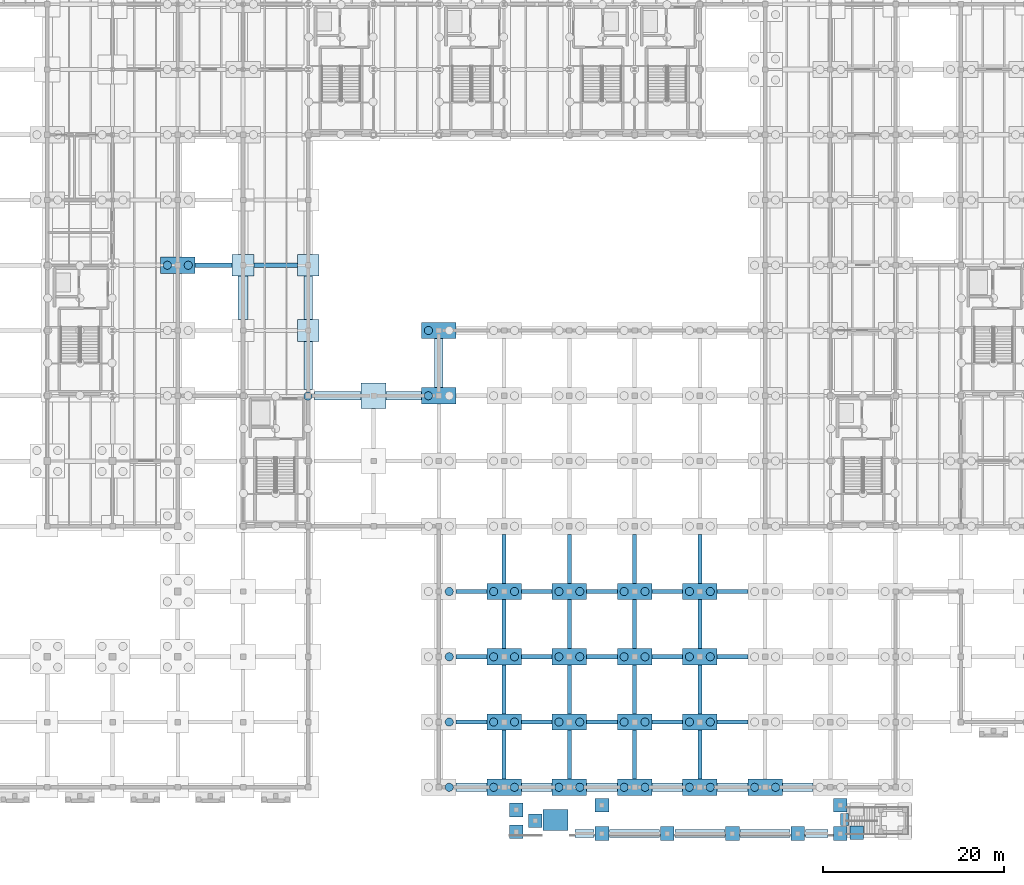
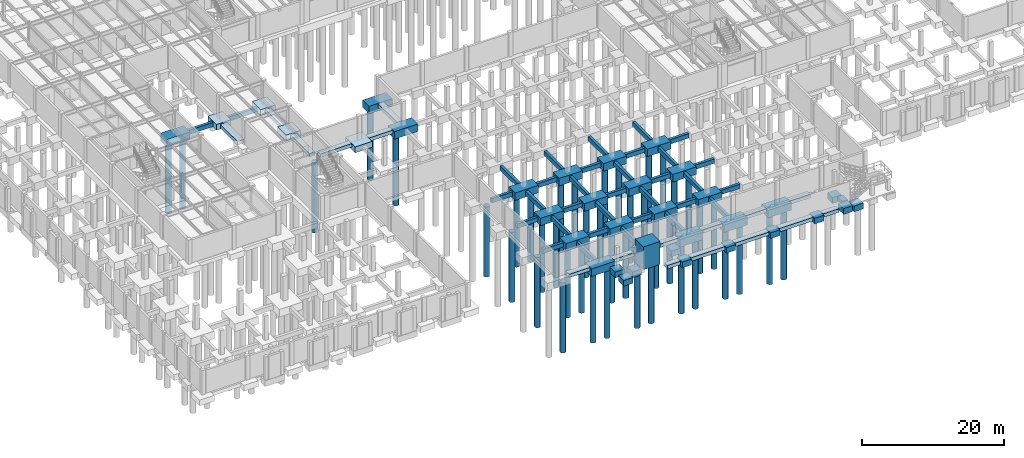
# One storey, part 3 of 46: 87 footings, 43 piles.
"""IFC4 building model written with IfcOpenShell, lengths in metres."""

from ifc_helpers import new_model, si_unit, direction, frame, origin, origin_2d, place, context, subcontext, project, spatial, rectangle, circle, extrude, material, material_profile, profile_set, type_object, element, save


model = new_model("IFC4")

# Units and contexts
model_context = context("Model", 3, precision=1e-05, world=origin(), true_north=direction((0.0, 1.0)))
body_context = subcontext(model_context, "Body", "Model", "MODEL_VIEW")
ifc_project = project(units=[si_unit("LENGTHUNIT", "METRE"), si_unit("AREAUNIT", "SQUARE_METRE"), si_unit("VOLUMEUNIT", "CUBIC_METRE"), si_unit("PLANEANGLEUNIT", "RADIAN"), si_unit("MASSUNIT", "GRAM", prefix="KILO")], contexts=[model_context])

# Site, building, storey
site_placement = place(None, origin())
site = spatial("IfcSite", under=ifc_project, at=site_placement, CompositionType="ELEMENT")
building_placement = place(site_placement, origin())
building = spatial("IfcBuilding", under=site, at=building_placement, Name="Sillqori Civic Hall", CompositionType="ELEMENT")
storey_placement = place(building_placement, frame((0.0, 0.0, -4.199951171875)))
storey = spatial("IfcBuildingStorey", under=building, at=storey_placement, Name="B01", CompositionType="ELEMENT", Elevation=-4.199951171875)

# Footings
ifc_material = material(Name="Concrete C35/45 (H35)", Category="concrete")
footing_type_1 = type_object("IfcFootingType", Name="FB-450X750", PredefinedType="FOOTING_BEAM", material=ifc_material)
footing_1_placement = place(storey_placement, frame((39.949951171875, 64.800048828125, -0.969970703125), z_axis=(0.0, 0.0, 1.0), x_axis=(1.0, 0.0, 0.0)))
element("IfcFooting", 1, at=footing_1_placement, inside=storey, type_object=footing_type_1, Name="Seismic tie beam X 5-9", PredefinedType="FOOTING_BEAM", context=body_context, shape_type="SweptSolid", body=[
    extrude(rectangle(XDim=4.10009765625, YDim=0.449951171875, at=origin_2d()), origin(), (0.0, 0.0, 1.0), 0.75),
])
footing_2_placement = place(storey_placement, frame((46.800048828125, 64.800048828125, -0.969970703125), z_axis=(0.0, 0.0, 1.0), x_axis=(1.0, 0.0, 0.0)))
element("IfcFooting", 2, at=footing_2_placement, inside=storey, type_object=footing_type_1, Name="Seismic tie beam X 6-9", PredefinedType="FOOTING_BEAM", context=body_context, shape_type="SweptSolid", body=[
    extrude(rectangle(XDim=4.800048828125, YDim=0.449951171875, at=origin_2d()), origin(), (0.0, 0.0, 1.0), 0.75),
])
for number, where, z_axis, x_axis, name in (
    (3, (68.39990234375, 14.39990234375, -0.969970703125), (0.0, 0.0, 1.0), (1.0, 0.0, 0.0), "Seismic tie beam X 9-2"),
    (4, (68.39990234375, 21.60009765625, -0.969970703125), (0.0, 0.0, 1.0), (1.0, 0.0, 0.0), "Seismic tie beam X 9-3"),
    (5, (68.39990234375, 28.800048828125, -0.969970703125), (0.0, 0.0, 1.0), (1.0, 0.0, 0.0), "Seismic tie beam X 9-4"),
):
    element("IfcFooting", number, at=place(storey_placement, frame(where, z_axis=z_axis, x_axis=x_axis)), inside=storey, type_object=footing_type_1, Name=name, PredefinedType="FOOTING_BEAM", context=body_context, shape_type="SweptSolid", body=[
        extrude(rectangle(XDim=3.39990234375, YDim=0.449951171875, at=origin_2d()), origin(), (0.0, 0.0, 1.0), 0.75),
    ])
footing_3_placement = place(storey_placement, frame((72.0, 10.800048828125, -0.969970703125), z_axis=(0.0, 0.0, 1.0), x_axis=(1.0, 0.0, 0.0)))
element("IfcFooting", 6, at=footing_3_placement, inside=storey, type_object=footing_type_1, Name="Seismic tie beam Y 10-1", PredefinedType="FOOTING_BEAM", context=body_context, shape_type="SweptSolid", body=[
    extrude(rectangle(XDim=0.449951171875, YDim=5.39990234375, at=origin_2d()), origin(), (0.0, 0.0, 1.0), 0.75),
])
footing_4_placement = place(storey_placement, frame((75.60009765625, 14.39990234375, -0.969970703125), z_axis=(0.0, 0.0, 1.0), x_axis=(1.0, 0.0, 0.0)))
element("IfcFooting", 7, at=footing_4_placement, inside=storey, type_object=footing_type_1, Name="Seismic tie beam X 10-2", PredefinedType="FOOTING_BEAM", context=body_context, shape_type="SweptSolid", body=[
    extrude(rectangle(XDim=3.39990234375, YDim=0.449951171875, at=origin_2d()), origin(), (0.0, 0.0, 1.0), 0.75),
])
footing_5_placement = place(storey_placement, frame((72.0, 18.0, -0.969970703125), z_axis=(0.0, 0.0, 1.0), x_axis=(1.0, 0.0, 0.0)))
element("IfcFooting", 8, at=footing_5_placement, inside=storey, type_object=footing_type_1, Name="Seismic tie beam Y 10-2", PredefinedType="FOOTING_BEAM", context=body_context, shape_type="SweptSolid", body=[
    extrude(rectangle(XDim=0.449951171875, YDim=5.39990234375, at=origin_2d()), origin(), (0.0, 0.0, 1.0), 0.75),
])
footing_6_placement = place(storey_placement, frame((75.60009765625, 21.60009765625, -0.969970703125), z_axis=(0.0, 0.0, 1.0), x_axis=(1.0, 0.0, 0.0)))
element("IfcFooting", 9, at=footing_6_placement, inside=storey, type_object=footing_type_1, Name="Seismic tie beam X 10-3", PredefinedType="FOOTING_BEAM", context=body_context, shape_type="SweptSolid", body=[
    extrude(rectangle(XDim=3.39990234375, YDim=0.449951171875, at=origin_2d()), origin(), (0.0, 0.0, 1.0), 0.75),
])
footing_7_placement = place(storey_placement, frame((72.0, 25.199951171875, -0.969970703125), z_axis=(0.0, 0.0, 1.0), x_axis=(1.0, 0.0, 0.0)))
element("IfcFooting", 10, at=footing_7_placement, inside=storey, type_object=footing_type_1, Name="Seismic tie beam Y 10-3", PredefinedType="FOOTING_BEAM", context=body_context, shape_type="SweptSolid", body=[
    extrude(rectangle(XDim=0.449951171875, YDim=5.39990234375, at=origin_2d()), origin(), (0.0, 0.0, 1.0), 0.75),
])
footing_8_placement = place(storey_placement, frame((75.60009765625, 28.800048828125, -0.969970703125), z_axis=(0.0, 0.0, 1.0), x_axis=(1.0, 0.0, 0.0)))
element("IfcFooting", 11, at=footing_8_placement, inside=storey, type_object=footing_type_1, Name="Seismic tie beam X 10-4", PredefinedType="FOOTING_BEAM", context=body_context, shape_type="SweptSolid", body=[
    extrude(rectangle(XDim=3.39990234375, YDim=0.449951171875, at=origin_2d()), origin(), (0.0, 0.0, 1.0), 0.75),
])
for number, where, z_axis, x_axis, name in (
    (12, (72.0, 32.39990234375, -0.969970703125), (0.0, 0.0, 1.0), (1.0, 0.0, 0.0), "Seismic tie beam Y 10-4"),
    (13, (79.199951171875, 10.800048828125, -0.969970703125), (0.0, 0.0, 1.0), (1.0, 0.0, 0.0), "Seismic tie beam Y 11-1"),
):
    element("IfcFooting", number, at=place(storey_placement, frame(where, z_axis=z_axis, x_axis=x_axis)), inside=storey, type_object=footing_type_1, Name=name, PredefinedType="FOOTING_BEAM", context=body_context, shape_type="SweptSolid", body=[
        extrude(rectangle(XDim=0.449951171875, YDim=5.39990234375, at=origin_2d()), origin(), (0.0, 0.0, 1.0), 0.75),
    ])
footing_9_placement = place(storey_placement, frame((82.800048828125, 14.39990234375, -0.969970703125), z_axis=(0.0, 0.0, 1.0), x_axis=(1.0, 0.0, 0.0)))
element("IfcFooting", 14, at=footing_9_placement, inside=storey, type_object=footing_type_1, Name="Seismic tie beam X 11-2", PredefinedType="FOOTING_BEAM", context=body_context, shape_type="SweptSolid", body=[
    extrude(rectangle(XDim=3.39990234375, YDim=0.449951171875, at=origin_2d()), origin(), (0.0, 0.0, 1.0), 0.75),
])
footing_10_placement = place(storey_placement, frame((79.199951171875, 18.0, -0.969970703125), z_axis=(0.0, 0.0, 1.0), x_axis=(1.0, 0.0, 0.0)))
element("IfcFooting", 15, at=footing_10_placement, inside=storey, type_object=footing_type_1, Name="Seismic tie beam Y 11-2", PredefinedType="FOOTING_BEAM", context=body_context, shape_type="SweptSolid", body=[
    extrude(rectangle(XDim=0.449951171875, YDim=5.39990234375, at=origin_2d()), origin(), (0.0, 0.0, 1.0), 0.75),
])
footing_11_placement = place(storey_placement, frame((82.800048828125, 21.60009765625, -0.969970703125), z_axis=(0.0, 0.0, 1.0), x_axis=(1.0, 0.0, 0.0)))
element("IfcFooting", 16, at=footing_11_placement, inside=storey, type_object=footing_type_1, Name="Seismic tie beam X 11-3", PredefinedType="FOOTING_BEAM", context=body_context, shape_type="SweptSolid", body=[
    extrude(rectangle(XDim=3.39990234375, YDim=0.449951171875, at=origin_2d()), origin(), (0.0, 0.0, 1.0), 0.75),
])
footing_12_placement = place(storey_placement, frame((79.199951171875, 25.199951171875, -0.969970703125), z_axis=(0.0, 0.0, 1.0), x_axis=(1.0, 0.0, 0.0)))
element("IfcFooting", 17, at=footing_12_placement, inside=storey, type_object=footing_type_1, Name="Seismic tie beam Y 11-3", PredefinedType="FOOTING_BEAM", context=body_context, shape_type="SweptSolid", body=[
    extrude(rectangle(XDim=0.449951171875, YDim=5.39990234375, at=origin_2d()), origin(), (0.0, 0.0, 1.0), 0.75),
])
footing_13_placement = place(storey_placement, frame((82.800048828125, 28.800048828125, -0.969970703125), z_axis=(0.0, 0.0, 1.0), x_axis=(1.0, 0.0, 0.0)))
element("IfcFooting", 18, at=footing_13_placement, inside=storey, type_object=footing_type_1, Name="Seismic tie beam X 11-4", PredefinedType="FOOTING_BEAM", context=body_context, shape_type="SweptSolid", body=[
    extrude(rectangle(XDim=3.39990234375, YDim=0.449951171875, at=origin_2d()), origin(), (0.0, 0.0, 1.0), 0.75),
])
for number, where, z_axis, x_axis, name in (
    (19, (79.199951171875, 32.39990234375, -0.969970703125), (0.0, 0.0, 1.0), (1.0, 0.0, 0.0), "Seismic tie beam Y 11-4"),
    (20, (86.39990234375, 10.800048828125, -0.969970703125), (0.0, 0.0, 1.0), (1.0, 0.0, 0.0), "Seismic tie beam Y 12-1"),
):
    element("IfcFooting", number, at=place(storey_placement, frame(where, z_axis=z_axis, x_axis=x_axis)), inside=storey, type_object=footing_type_1, Name=name, PredefinedType="FOOTING_BEAM", context=body_context, shape_type="SweptSolid", body=[
        extrude(rectangle(XDim=0.449951171875, YDim=5.39990234375, at=origin_2d()), origin(), (0.0, 0.0, 1.0), 0.75),
    ])
footing_14_placement = place(storey_placement, frame((90.0, 14.39990234375, -0.969970703125), z_axis=(0.0, 0.0, 1.0), x_axis=(1.0, 0.0, 0.0)))
element("IfcFooting", 21, at=footing_14_placement, inside=storey, type_object=footing_type_1, Name="Seismic tie beam X 12-2", PredefinedType="FOOTING_BEAM", context=body_context, shape_type="SweptSolid", body=[
    extrude(rectangle(XDim=3.39990234375, YDim=0.449951171875, at=origin_2d()), origin(), (0.0, 0.0, 1.0), 0.75),
])
footing_15_placement = place(storey_placement, frame((86.39990234375, 18.0, -0.969970703125), z_axis=(0.0, 0.0, 1.0), x_axis=(1.0, 0.0, 0.0)))
element("IfcFooting", 22, at=footing_15_placement, inside=storey, type_object=footing_type_1, Name="Seismic tie beam Y 12-2", PredefinedType="FOOTING_BEAM", context=body_context, shape_type="SweptSolid", body=[
    extrude(rectangle(XDim=0.449951171875, YDim=5.39990234375, at=origin_2d()), origin(), (0.0, 0.0, 1.0), 0.75),
])
footing_16_placement = place(storey_placement, frame((90.0, 21.60009765625, -0.969970703125), z_axis=(0.0, 0.0, 1.0), x_axis=(1.0, 0.0, 0.0)))
element("IfcFooting", 23, at=footing_16_placement, inside=storey, type_object=footing_type_1, Name="Seismic tie beam X 12-3", PredefinedType="FOOTING_BEAM", context=body_context, shape_type="SweptSolid", body=[
    extrude(rectangle(XDim=3.39990234375, YDim=0.449951171875, at=origin_2d()), origin(), (0.0, 0.0, 1.0), 0.75),
])
footing_17_placement = place(storey_placement, frame((86.39990234375, 25.199951171875, -0.969970703125), z_axis=(0.0, 0.0, 1.0), x_axis=(1.0, 0.0, 0.0)))
element("IfcFooting", 24, at=footing_17_placement, inside=storey, type_object=footing_type_1, Name="Seismic tie beam Y 12-3", PredefinedType="FOOTING_BEAM", context=body_context, shape_type="SweptSolid", body=[
    extrude(rectangle(XDim=0.449951171875, YDim=5.39990234375, at=origin_2d()), origin(), (0.0, 0.0, 1.0), 0.75),
])
footing_18_placement = place(storey_placement, frame((90.0, 28.800048828125, -0.969970703125), z_axis=(0.0, 0.0, 1.0), x_axis=(1.0, 0.0, 0.0)))
element("IfcFooting", 25, at=footing_18_placement, inside=storey, type_object=footing_type_1, Name="Seismic tie beam X 12-4", PredefinedType="FOOTING_BEAM", context=body_context, shape_type="SweptSolid", body=[
    extrude(rectangle(XDim=3.39990234375, YDim=0.449951171875, at=origin_2d()), origin(), (0.0, 0.0, 1.0), 0.75),
])
for number, where, z_axis, x_axis, name in (
    (26, (86.39990234375, 32.39990234375, -0.969970703125), (0.0, 0.0, 1.0), (1.0, 0.0, 0.0), "Seismic tie beam Y 12-4"),
    (27, (93.60009765625, 10.800048828125, -0.969970703125), (0.0, 0.0, 1.0), (1.0, 0.0, 0.0), "Seismic tie beam Y 13-1"),
):
    element("IfcFooting", number, at=place(storey_placement, frame(where, z_axis=z_axis, x_axis=x_axis)), inside=storey, type_object=footing_type_1, Name=name, PredefinedType="FOOTING_BEAM", context=body_context, shape_type="SweptSolid", body=[
        extrude(rectangle(XDim=0.449951171875, YDim=5.39990234375, at=origin_2d()), origin(), (0.0, 0.0, 1.0), 0.75),
    ])
footing_19_placement = place(storey_placement, frame((97.199951171875, 14.39990234375, -0.969970703125), z_axis=(0.0, 0.0, 1.0), x_axis=(1.0, 0.0, 0.0)))
element("IfcFooting", 28, at=footing_19_placement, inside=storey, type_object=footing_type_1, Name="Seismic tie beam X 13-2", PredefinedType="FOOTING_BEAM", context=body_context, shape_type="SweptSolid", body=[
    extrude(rectangle(XDim=3.39990234375, YDim=0.449951171875, at=origin_2d()), origin(), (0.0, 0.0, 1.0), 0.75),
])
footing_20_placement = place(storey_placement, frame((93.60009765625, 18.0, -0.969970703125), z_axis=(0.0, 0.0, 1.0), x_axis=(1.0, 0.0, 0.0)))
element("IfcFooting", 29, at=footing_20_placement, inside=storey, type_object=footing_type_1, Name="Seismic tie beam Y 13-2", PredefinedType="FOOTING_BEAM", context=body_context, shape_type="SweptSolid", body=[
    extrude(rectangle(XDim=0.449951171875, YDim=5.39990234375, at=origin_2d()), origin(), (0.0, 0.0, 1.0), 0.75),
])
footing_21_placement = place(storey_placement, frame((97.199951171875, 21.60009765625, -0.969970703125), z_axis=(0.0, 0.0, 1.0), x_axis=(1.0, 0.0, 0.0)))
element("IfcFooting", 30, at=footing_21_placement, inside=storey, type_object=footing_type_1, Name="Seismic tie beam X 13-3", PredefinedType="FOOTING_BEAM", context=body_context, shape_type="SweptSolid", body=[
    extrude(rectangle(XDim=3.39990234375, YDim=0.449951171875, at=origin_2d()), origin(), (0.0, 0.0, 1.0), 0.75),
])
footing_22_placement = place(storey_placement, frame((93.60009765625, 25.199951171875, -0.969970703125), z_axis=(0.0, 0.0, 1.0), x_axis=(1.0, 0.0, 0.0)))
element("IfcFooting", 31, at=footing_22_placement, inside=storey, type_object=footing_type_1, Name="Seismic tie beam Y 13-3", PredefinedType="FOOTING_BEAM", context=body_context, shape_type="SweptSolid", body=[
    extrude(rectangle(XDim=0.449951171875, YDim=5.39990234375, at=origin_2d()), origin(), (0.0, 0.0, 1.0), 0.75),
])
footing_23_placement = place(storey_placement, frame((97.199951171875, 28.800048828125, -0.969970703125), z_axis=(0.0, 0.0, 1.0), x_axis=(1.0, 0.0, 0.0)))
element("IfcFooting", 32, at=footing_23_placement, inside=storey, type_object=footing_type_1, Name="Seismic tie beam X 13-4", PredefinedType="FOOTING_BEAM", context=body_context, shape_type="SweptSolid", body=[
    extrude(rectangle(XDim=3.39990234375, YDim=0.449951171875, at=origin_2d()), origin(), (0.0, 0.0, 1.0), 0.75),
])
footing_24_placement = place(storey_placement, frame((93.60009765625, 32.39990234375, -0.969970703125), z_axis=(0.0, 0.0, 1.0), x_axis=(1.0, 0.0, 0.0)))
element("IfcFooting", 33, at=footing_24_placement, inside=storey, type_object=footing_type_1, Name="Seismic tie beam Y 13-4", PredefinedType="FOOTING_BEAM", context=body_context, shape_type="SweptSolid", body=[
    extrude(rectangle(XDim=0.449951171875, YDim=5.39990234375, at=origin_2d()), origin(), (0.0, 0.0, 1.0), 0.75),
])
footing_type_2 = type_object("IfcFootingType", Name="PC-2P", PredefinedType="PILE_CAP", material=ifc_material)
for number, where, z_axis, x_axis, name in (
    (34, (36.0, 64.800048828125, -1.30029296875), (0.0, 0.0, 1.0), (1.0, 0.0, 0.0), "Pile cap 5-9"),
    (35, (64.800048828125, 50.39990234375, -1.30029296875), (0.0, 0.0, 1.0), (1.0, 0.0, 0.0), "Pile cap 9-7"),
    (36, (64.800048828125, 57.60009765625, -1.30029296875), (0.0, 0.0, 1.0), (1.0, 0.0, 0.0), "Pile cap 9-8"),
    (37, (72.0, 7.199951171875, -1.30029296875), (0.0, 0.0, 1.0), (1.0, 0.0, 0.0), "Pile cap 10-1"),
    (38, (72.0, 14.39990234375, -1.30029296875), (0.0, 0.0, 1.0), (1.0, 0.0, 0.0), "Pile cap 10-2"),
    (39, (72.0, 21.60009765625, -1.30029296875), (0.0, 0.0, 1.0), (1.0, 0.0, 0.0), "Pile cap 10-3"),
    (40, (72.0, 28.800048828125, -1.30029296875), (0.0, 0.0, 1.0), (1.0, 0.0, 0.0), "Pile cap 10-4"),
    (41, (79.199951171875, 7.199951171875, -1.30029296875), (0.0, 0.0, 1.0), (1.0, 0.0, 0.0), "Pile cap 11-1"),
    (42, (79.199951171875, 14.39990234375, -1.30029296875), (0.0, 0.0, 1.0), (1.0, 0.0, 0.0), "Pile cap 11-2"),
    (43, (79.199951171875, 21.60009765625, -1.30029296875), (0.0, 0.0, 1.0), (1.0, 0.0, 0.0), "Pile cap 11-3"),
    (44, (79.199951171875, 28.800048828125, -1.30029296875), (0.0, 0.0, 1.0), (1.0, 0.0, 0.0), "Pile cap 11-4"),
    (45, (86.39990234375, 7.199951171875, -1.30029296875), (0.0, 0.0, 1.0), (1.0, 0.0, 0.0), "Pile cap 12-1"),
    (46, (86.39990234375, 14.39990234375, -1.30029296875), (0.0, 0.0, 1.0), (1.0, 0.0, 0.0), "Pile cap 12-2"),
    (47, (86.39990234375, 21.60009765625, -1.30029296875), (0.0, 0.0, 1.0), (1.0, 0.0, 0.0), "Pile cap 12-3"),
    (48, (86.39990234375, 28.800048828125, -1.30029296875), (0.0, 0.0, 1.0), (1.0, 0.0, 0.0), "Pile cap 12-4"),
    (49, (93.60009765625, 7.199951171875, -1.30029296875), (0.0, 0.0, 1.0), (1.0, 0.0, 0.0), "Pile cap 13-1"),
    (50, (93.60009765625, 14.39990234375, -1.30029296875), (0.0, 0.0, 1.0), (1.0, 0.0, 0.0), "Pile cap 13-2"),
    (51, (93.60009765625, 21.60009765625, -1.30029296875), (0.0, 0.0, 1.0), (1.0, 0.0, 0.0), "Pile cap 13-3"),
    (52, (93.60009765625, 28.800048828125, -1.30029296875), (0.0, 0.0, 1.0), (1.0, 0.0, 0.0), "Pile cap 13-4"),
    (53, (100.800048828125, 7.199951171875, -1.30029296875), (0.0, 0.0, 1.0), (1.0, 0.0, 0.0), "Pile cap 14-1"),
):
    element("IfcFooting", number, at=place(storey_placement, frame(where, z_axis=z_axis, x_axis=x_axis)), inside=storey, type_object=footing_type_2, Name=name, PredefinedType="PILE_CAP", context=body_context, shape_type="SweptSolid", body=[
        extrude(rectangle(XDim=3.800048828125, YDim=1.800048828125, at=origin_2d()), origin(), (0.0, 0.0, 1.0), 1.300048828125),
    ])
footing_type_3 = type_object("IfcFootingType", Name="PF-1500", PredefinedType="PAD_FOOTING", material=ifc_material)
for number, where, z_axis, x_axis, name in (
    (54, (82.800048828125, 2.10009765625, -1.0), (0.0, 0.0, 1.0), (1.0, 0.0, 0.0), "Forecourt accessible arrival deck footing 1"),
    (55, (90.0, 2.10009765625, -1.0), (0.0, 0.0, 1.0), (1.0, 0.0, 0.0), "Forecourt accessible arrival deck footing 2"),
    (56, (97.199951171875, 2.10009765625, -1.0), (0.0, 0.0, 1.0), (1.0, 0.0, 0.0), "Forecourt accessible arrival deck footing 3"),
    (57, (104.39990234375, 2.10009765625, -1.0), (0.0, 0.0, 1.0), (1.0, 0.0, 0.0), "Forecourt accessible arrival deck footing 4"),
    (58, (109.10009765625, 2.10009765625, -1.0), (0.0, 0.0, 1.0), (1.0, 0.0, 0.0), "Forecourt accessible arrival deck footing 5"),
    (59, (109.10009765625, 5.199951171875, -1.0), (0.0, 0.0, 1.0), (1.0, 0.0, 0.0), "Forecourt accessible arrival deck footing 6"),
    (60, (82.800048828125, 5.199951171875, -1.0), (0.0, 0.0, 1.0), (1.0, 0.0, 0.0), "Forecourt accessible arrival deck footing 7"),
    (61, (73.35009765625, 2.300048828125, -1.0), (0.0, 0.0, 1.0), (1.0, 0.0, 0.0), "Forecourt ramp base & lower landing footing 1"),
    (62, (73.35009765625, 4.699951171875, -1.0), (0.0, 0.0, 1.0), (1.0, 0.0, 0.0), "Forecourt ramp base & lower landing footing 2"),
    (63, (75.449951171875, 3.5, -1.0), (0.0, 0.0, 1.0), (1.0, 0.0, 0.0), "Forecourt ramp base & lower landing footing 3"),
    (64, (110.89990234375, 2.199951171875, -1.219970703125), (0.0, 0.0, 1.0), (1.0, 0.0, 0.0), "Forecourt exterior stair pad footing 1"),
):
    element("IfcFooting", number, at=place(storey_placement, frame(where, z_axis=z_axis, x_axis=x_axis)), inside=storey, type_object=footing_type_3, Name=name, PredefinedType="PAD_FOOTING", context=body_context, shape_type="SweptSolid", body=[
        extrude(rectangle(XDim=1.5, YDim=1.5, at=origin_2d()), origin(), (0.0, 0.0, 1.0), 1.0),
    ])
footing_type_4 = type_object("IfcFootingType", Name="PF-2400", PredefinedType="PAD_FOOTING", material=ifc_material)
for number, where, z_axis, x_axis, name in (
    (65, (43.199951171875, 64.800048828125, -1.0), (0.0, 0.0, 1.0), (1.0, 0.0, 0.0), "Spread footing 6-9"),
    (66, (50.39990234375, 57.60009765625, -1.0), (0.0, 0.0, 1.0), (1.0, 0.0, 0.0), "Spread footing 7-8"),
    (67, (50.39990234375, 64.800048828125, -1.0), (0.0, 0.0, 1.0), (1.0, 0.0, 0.0), "Spread footing 7-9"),
):
    element("IfcFooting", number, at=place(storey_placement, frame(where, z_axis=z_axis, x_axis=x_axis)), inside=storey, type_object=footing_type_4, Name=name, PredefinedType="PAD_FOOTING", context=body_context, shape_type="SweptSolid", body=[
        extrude(rectangle(XDim=2.39990234375, YDim=2.39990234375, at=origin_2d()), origin(), (0.0, 0.0, 1.0), 1.0),
    ])
footing_type_5 = type_object("IfcFootingType", Name="PF-2800", PredefinedType="PAD_FOOTING", material=ifc_material)
footing_25_placement = place(storey_placement, frame((57.60009765625, 50.39990234375, -1.0), z_axis=(0.0, 0.0, 1.0), x_axis=(1.0, 0.0, 0.0)))
element("IfcFooting", 68, at=footing_25_placement, inside=storey, type_object=footing_type_5, Name="Spread footing 8-7", PredefinedType="PAD_FOOTING", context=body_context, shape_type="SweptSolid", body=[
    extrude(rectangle(XDim=2.800048828125, YDim=2.800048828125, at=origin_2d()), origin(), (0.0, 0.0, 1.0), 1.0),
])

# Piles
ifc_material_profile = material_profile(ifc_material, circle(Radius=0.449951171875, at=origin_2d()), Name="BORED PILE 900")
ifc_profile_set = profile_set([ifc_material_profile], Name="Concrete C35/45 (H35)")
pile_type = type_object("IfcPileType", Name="PILE-BORED-900", PredefinedType="BORED", material=ifc_profile_set)
for number, where, z_axis, x_axis, name in (
    (69, (50.35009765625, 50.35009765625, -1.199951171875), (0.0, 0.0, -1.0), (1.0, 0.0, 0.0), "Bored pile FTG-CAP-C1-15"),
    (70, (34.85009765625, 64.800048828125, -1.199951171875), (0.0, 0.0, -1.0), (1.0, 0.0, 0.0), "Bored pile FTG-PC-05-09-01"),
    (71, (37.14990234375, 64.800048828125, -1.199951171875), (0.0, 0.0, -1.0), (1.0, 0.0, 0.0), "Bored pile FTG-PC-05-09-02"),
    (72, (65.949951171875, 7.199951171875, -1.199951171875), (0.0, 0.0, -1.0), (1.0, 0.0, 0.0), "Bored pile FTG-PC-09-01-02"),
    (73, (65.949951171875, 14.39990234375, -1.199951171875), (0.0, 0.0, -1.0), (1.0, 0.0, 0.0), "Bored pile FTG-PC-09-02-02"),
    (74, (65.949951171875, 21.60009765625, -1.199951171875), (0.0, 0.0, -1.0), (1.0, 0.0, 0.0), "Bored pile FTG-PC-09-03-02"),
    (75, (65.949951171875, 28.800048828125, -1.199951171875), (0.0, 0.0, -1.0), (1.0, 0.0, 0.0), "Bored pile FTG-PC-09-04-02"),
    (76, (63.64990234375, 50.39990234375, -1.199951171875), (0.0, 0.0, -1.0), (1.0, 0.0, 0.0), "Bored pile FTG-PC-09-07-01"),
    (77, (63.64990234375, 57.60009765625, -1.199951171875), (0.0, 0.0, -1.0), (1.0, 0.0, 0.0), "Bored pile FTG-PC-09-08-01"),
    (78, (70.85009765625, 7.199951171875, -1.199951171875), (0.0, 0.0, -1.0), (1.0, 0.0, 0.0), "Bored pile FTG-PC-10-01-01"),
    (79, (73.14990234375, 7.199951171875, -1.199951171875), (0.0, 0.0, -1.0), (1.0, 0.0, 0.0), "Bored pile FTG-PC-10-01-02"),
    (80, (70.85009765625, 14.39990234375, -1.199951171875), (0.0, 0.0, -1.0), (1.0, 0.0, 0.0), "Bored pile FTG-PC-10-02-01"),
    (81, (73.14990234375, 14.39990234375, -1.199951171875), (0.0, 0.0, -1.0), (1.0, 0.0, 0.0), "Bored pile FTG-PC-10-02-02"),
    (82, (70.85009765625, 21.60009765625, -1.199951171875), (0.0, 0.0, -1.0), (1.0, 0.0, 0.0), "Bored pile FTG-PC-10-03-01"),
    (83, (73.14990234375, 21.60009765625, -1.199951171875), (0.0, 0.0, -1.0), (1.0, 0.0, 0.0), "Bored pile FTG-PC-10-03-02"),
    (84, (70.85009765625, 28.800048828125, -1.199951171875), (0.0, 0.0, -1.0), (1.0, 0.0, 0.0), "Bored pile FTG-PC-10-04-01"),
    (85, (73.14990234375, 28.800048828125, -1.199951171875), (0.0, 0.0, -1.0), (1.0, 0.0, 0.0), "Bored pile FTG-PC-10-04-02"),
    (86, (78.050048828125, 7.199951171875, -1.199951171875), (0.0, 0.0, -1.0), (1.0, 0.0, 0.0), "Bored pile FTG-PC-11-01-01"),
    (87, (80.35009765625, 7.199951171875, -1.199951171875), (0.0, 0.0, -1.0), (1.0, 0.0, 0.0), "Bored pile FTG-PC-11-01-02"),
    (88, (78.050048828125, 14.39990234375, -1.199951171875), (0.0, 0.0, -1.0), (1.0, 0.0, 0.0), "Bored pile FTG-PC-11-02-01"),
    (89, (80.35009765625, 14.39990234375, -1.199951171875), (0.0, 0.0, -1.0), (1.0, 0.0, 0.0), "Bored pile FTG-PC-11-02-02"),
    (90, (78.050048828125, 21.60009765625, -1.199951171875), (0.0, 0.0, -1.0), (1.0, 0.0, 0.0), "Bored pile FTG-PC-11-03-01"),
    (91, (80.35009765625, 21.60009765625, -1.199951171875), (0.0, 0.0, -1.0), (1.0, 0.0, 0.0), "Bored pile FTG-PC-11-03-02"),
    (92, (78.050048828125, 28.800048828125, -1.199951171875), (0.0, 0.0, -1.0), (1.0, 0.0, 0.0), "Bored pile FTG-PC-11-04-01"),
    (93, (80.35009765625, 28.800048828125, -1.199951171875), (0.0, 0.0, -1.0), (1.0, 0.0, 0.0), "Bored pile FTG-PC-11-04-02"),
    (94, (85.25, 7.199951171875, -1.199951171875), (0.0, 0.0, -1.0), (1.0, 0.0, 0.0), "Bored pile FTG-PC-12-01-01"),
    (95, (87.550048828125, 7.199951171875, -1.199951171875), (0.0, 0.0, -1.0), (1.0, 0.0, 0.0), "Bored pile FTG-PC-12-01-02"),
    (96, (85.25, 14.39990234375, -1.199951171875), (0.0, 0.0, -1.0), (1.0, 0.0, 0.0), "Bored pile FTG-PC-12-02-01"),
    (97, (87.550048828125, 14.39990234375, -1.199951171875), (0.0, 0.0, -1.0), (1.0, 0.0, 0.0), "Bored pile FTG-PC-12-02-02"),
    (98, (85.25, 21.60009765625, -1.199951171875), (0.0, 0.0, -1.0), (1.0, 0.0, 0.0), "Bored pile FTG-PC-12-03-01"),
    (99, (87.550048828125, 21.60009765625, -1.199951171875), (0.0, 0.0, -1.0), (1.0, 0.0, 0.0), "Bored pile FTG-PC-12-03-02"),
    (100, (85.25, 28.800048828125, -1.199951171875), (0.0, 0.0, -1.0), (1.0, 0.0, 0.0), "Bored pile FTG-PC-12-04-01"),
    (101, (87.550048828125, 28.800048828125, -1.199951171875), (0.0, 0.0, -1.0), (1.0, 0.0, 0.0), "Bored pile FTG-PC-12-04-02"),
    (102, (92.449951171875, 7.199951171875, -1.199951171875), (0.0, 0.0, -1.0), (1.0, 0.0, 0.0), "Bored pile FTG-PC-13-01-01"),
    (103, (94.75, 7.199951171875, -1.199951171875), (0.0, 0.0, -1.0), (1.0, 0.0, 0.0), "Bored pile FTG-PC-13-01-02"),
    (104, (92.449951171875, 14.39990234375, -1.199951171875), (0.0, 0.0, -1.0), (1.0, 0.0, 0.0), "Bored pile FTG-PC-13-02-01"),
    (105, (94.75, 14.39990234375, -1.199951171875), (0.0, 0.0, -1.0), (1.0, 0.0, 0.0), "Bored pile FTG-PC-13-02-02"),
    (106, (92.449951171875, 21.60009765625, -1.199951171875), (0.0, 0.0, -1.0), (1.0, 0.0, 0.0), "Bored pile FTG-PC-13-03-01"),
    (107, (94.75, 21.60009765625, -1.199951171875), (0.0, 0.0, -1.0), (1.0, 0.0, 0.0), "Bored pile FTG-PC-13-03-02"),
    (108, (92.449951171875, 28.800048828125, -1.199951171875), (0.0, 0.0, -1.0), (1.0, 0.0, 0.0), "Bored pile FTG-PC-13-04-01"),
    (109, (94.75, 28.800048828125, -1.199951171875), (0.0, 0.0, -1.0), (1.0, 0.0, 0.0), "Bored pile FTG-PC-13-04-02"),
    (110, (99.64990234375, 7.199951171875, -1.199951171875), (0.0, 0.0, -1.0), (1.0, 0.0, 0.0), "Bored pile FTG-PC-14-01-01"),
    (111, (101.949951171875, 7.199951171875, -1.199951171875), (0.0, 0.0, -1.0), (1.0, 0.0, 0.0), "Bored pile FTG-PC-14-01-02"),
):
    element("IfcPile", number, at=place(storey_placement, frame(where, z_axis=z_axis, x_axis=x_axis)), inside=storey, type_object=pile_type, Name=name, PredefinedType="BORED", context=body_context, shape_type="SweptSolid", body=[
        extrude(circle(Radius=0.449951171875, at=origin_2d()), origin(), (0.0, 0.0, 1.0), 12.10009765625),
    ])

# Footings
footing_type_6 = type_object("IfcFootingType", Name="SF-1100X650", PredefinedType="STRIP_FOOTING", material=ifc_material)
footing_26_placement = place(storey_placement, frame((43.199951171875, 61.199951171875, -0.8701171875), z_axis=(0.0, 0.0, 1.0), x_axis=(1.0, 0.0, 0.0)))
element("IfcFooting", 112, at=footing_26_placement, inside=storey, type_object=footing_type_6, Name="Perimeter strip footing W 6-8", PredefinedType="STRIP_FOOTING", context=body_context, shape_type="SweptSolid", body=[
    extrude(rectangle(XDim=1.10009765625, YDim=4.800048828125, at=origin_2d()), origin(), (0.0, 0.0, 1.0), 0.64990234375),
])
footing_type_7 = type_object("IfcFootingType", Name="SF-2760X3960", PredefinedType="STRIP_FOOTING", material=ifc_material)
footing_27_placement = place(storey_placement, frame((77.699951171875, 3.60009765625, 0.0), z_axis=(0.0, 0.0, 1.0), x_axis=(1.0, 0.0, 0.0)))
element("IfcFooting", 113, at=footing_27_placement, inside=storey, type_object=footing_type_7, Name="Forecourt accessible ramp continuous strip footing", PredefinedType="STRIP_FOOTING", context=body_context, shape_type="SweptSolid", body=[
    extrude(rectangle(XDim=2.760009765625, YDim=2.300048828125, at=origin_2d()), origin(), (0.0, 0.0, 1.0), 3.9599609375),
])
footing_type_8 = type_object("IfcFootingType", Name="SF-900X600", PredefinedType="STRIP_FOOTING", material=ifc_material)
footing_28_placement = place(storey_placement, frame((50.39990234375, 53.75, -0.820068359375), z_axis=(0.0, 0.0, 1.0), x_axis=(1.0, 0.0, 0.0)))
element("IfcFooting", 114, at=footing_28_placement, inside=storey, type_object=footing_type_8, Name="Perimeter strip footing E 6-7", PredefinedType="STRIP_FOOTING", context=body_context, shape_type="SweptSolid", body=[
    extrude(rectangle(XDim=0.89990234375, YDim=5.300048828125, at=origin_2d()), origin(), (0.0, 0.0, 1.0), 0.60009765625),
])
footing_29_placement = place(storey_placement, frame((50.39990234375, 61.199951171875, -0.820068359375), z_axis=(0.0, 0.0, 1.0), x_axis=(1.0, 0.0, 0.0)))
element("IfcFooting", 115, at=footing_29_placement, inside=storey, type_object=footing_type_8, Name="Perimeter strip footing E 6-8", PredefinedType="STRIP_FOOTING", context=body_context, shape_type="SweptSolid", body=[
    extrude(rectangle(XDim=0.89990234375, YDim=4.800048828125, at=origin_2d()), origin(), (0.0, 0.0, 1.0), 0.60009765625),
])
footing_30_placement = place(storey_placement, frame((53.64990234375, 50.39990234375, -0.60009765625), z_axis=(0.0, 0.0, 1.0), x_axis=(1.0, 0.0, 0.0)))
element("IfcFooting", 116, at=footing_30_placement, inside=storey, type_object=footing_type_8, Name="Podium plinth strip footing N 7-6", PredefinedType="STRIP_FOOTING", context=body_context, shape_type="SweptSolid", body=[
    extrude(rectangle(XDim=5.10009765625, YDim=0.89990234375, at=origin_2d()), origin(), (0.0, 0.0, 1.0), 0.60009765625),
])
footing_31_placement = place(storey_placement, frame((60.949951171875, 50.39990234375, -0.60009765625), z_axis=(0.0, 0.0, 1.0), x_axis=(1.0, 0.0, 0.0)))
element("IfcFooting", 117, at=footing_31_placement, inside=storey, type_object=footing_type_8, Name="Podium plinth strip footing N 8-6", PredefinedType="STRIP_FOOTING", context=body_context, shape_type="SweptSolid", body=[
    extrude(rectangle(XDim=3.89990234375, YDim=0.89990234375, at=origin_2d()), origin(), (0.0, 0.0, 1.0), 0.60009765625),
])
footing_32_placement = place(storey_placement, frame((68.39990234375, 7.199951171875, -0.60009765625), z_axis=(0.0, 0.0, 1.0), x_axis=(1.0, 0.0, 0.0)))
element("IfcFooting", 118, at=footing_32_placement, inside=storey, type_object=footing_type_8, Name="Podium plinth strip footing S 9-1", PredefinedType="STRIP_FOOTING", context=body_context, shape_type="SweptSolid", body=[
    extrude(rectangle(XDim=3.39990234375, YDim=0.89990234375, at=origin_2d()), origin(), (0.0, 0.0, 1.0), 0.60009765625),
])
footing_33_placement = place(storey_placement, frame((64.800048828125, 54.0, -0.60009765625), z_axis=(0.0, 0.0, 1.0), x_axis=(1.0, 0.0, 0.0)))
element("IfcFooting", 119, at=footing_33_placement, inside=storey, type_object=footing_type_8, Name="Podium plinth strip footing W 9-7", PredefinedType="STRIP_FOOTING", context=body_context, shape_type="SweptSolid", body=[
    extrude(rectangle(XDim=0.89990234375, YDim=5.39990234375, at=origin_2d()), origin(), (0.0, 0.0, 1.0), 0.60009765625),
])
for number, where, z_axis, x_axis, name in (
    (120, (75.60009765625, 7.199951171875, -0.60009765625), (0.0, 0.0, 1.0), (1.0, 0.0, 0.0), "Podium plinth strip footing S 10-1"),
    (121, (82.800048828125, 7.199951171875, -0.60009765625), (0.0, 0.0, 1.0), (1.0, 0.0, 0.0), "Podium plinth strip footing S 11-1"),
    (122, (90.0, 7.199951171875, -0.60009765625), (0.0, 0.0, 1.0), (1.0, 0.0, 0.0), "Podium plinth strip footing S 12-1"),
    (123, (97.199951171875, 7.199951171875, -0.60009765625), (0.0, 0.0, 1.0), (1.0, 0.0, 0.0), "Podium plinth strip footing S 13-1"),
    (124, (104.39990234375, 7.199951171875, -0.60009765625), (0.0, 0.0, 1.0), (1.0, 0.0, 0.0), "Podium plinth strip footing S 14-1"),
):
    element("IfcFooting", number, at=place(storey_placement, frame(where, z_axis=z_axis, x_axis=x_axis)), inside=storey, type_object=footing_type_8, Name=name, PredefinedType="STRIP_FOOTING", context=body_context, shape_type="SweptSolid", body=[
        extrude(rectangle(XDim=3.39990234375, YDim=0.89990234375, at=origin_2d()), origin(), (0.0, 0.0, 1.0), 0.60009765625),
    ])
footing_34_placement = place(storey_placement, frame((80.875, 2.10009765625, -0.60009765625), z_axis=(0.0, 0.0, 1.0), x_axis=(1.0, 0.0, 0.0)))
element("IfcFooting", 125, at=footing_34_placement, inside=storey, type_object=footing_type_8, Name="Forecourt accessible arrival deck plinth strip footing S1", PredefinedType="STRIP_FOOTING", context=body_context, shape_type="SweptSolid", body=[
    extrude(rectangle(XDim=2.14990234375, YDim=0.89990234375, at=origin_2d()), origin(), (0.0, 0.0, 1.0), 0.60009765625),
])
for number, where, z_axis, x_axis, name in (
    (126, (86.39990234375, 2.10009765625, -0.60009765625), (0.0, 0.0, 1.0), (1.0, 0.0, 0.0), "Forecourt accessible arrival deck plinth strip footing S2"),
    (127, (93.60009765625, 2.10009765625, -0.60009765625), (0.0, 0.0, 1.0), (1.0, 0.0, 0.0), "Forecourt accessible arrival deck plinth strip footing S3"),
    (128, (100.800048828125, 2.10009765625, -0.60009765625), (0.0, 0.0, 1.0), (1.0, 0.0, 0.0), "Forecourt accessible arrival deck plinth strip footing S4"),
):
    element("IfcFooting", number, at=place(storey_placement, frame(where, z_axis=z_axis, x_axis=x_axis)), inside=storey, type_object=footing_type_8, Name=name, PredefinedType="STRIP_FOOTING", context=body_context, shape_type="SweptSolid", body=[
        extrude(rectangle(XDim=5.5, YDim=0.89990234375, at=origin_2d()), origin(), (0.0, 0.0, 1.0), 0.60009765625),
    ])
footing_35_placement = place(storey_placement, frame((106.5, 2.10009765625, -0.60009765625), z_axis=(0.0, 0.0, 1.0), x_axis=(1.0, 0.0, 0.0)))
element("IfcFooting", 129, at=footing_35_placement, inside=storey, type_object=footing_type_8, Name="Forecourt accessible arrival deck plinth strip footing S5", PredefinedType="STRIP_FOOTING", context=body_context, shape_type="SweptSolid", body=[
    extrude(rectangle(XDim=2.5, YDim=0.89990234375, at=origin_2d()), origin(), (0.0, 0.0, 1.0), 0.60009765625),
])
footing_36_placement = place(storey_placement, frame((109.550048828125, 3.64990234375, -0.60009765625), z_axis=(0.0, 0.0, 1.0), x_axis=(1.0, 0.0, 0.0)))
element("IfcFooting", 130, at=footing_36_placement, inside=storey, type_object=footing_type_8, Name="Forecourt accessible arrival deck plinth strip footing E", PredefinedType="STRIP_FOOTING", context=body_context, shape_type="SweptSolid", body=[
    extrude(rectangle(XDim=0.89990234375, YDim=1.300048828125, at=origin_2d()), origin(), (0.0, 0.0, 1.0), 0.60009765625),
])

save(model, "model.ifc")
